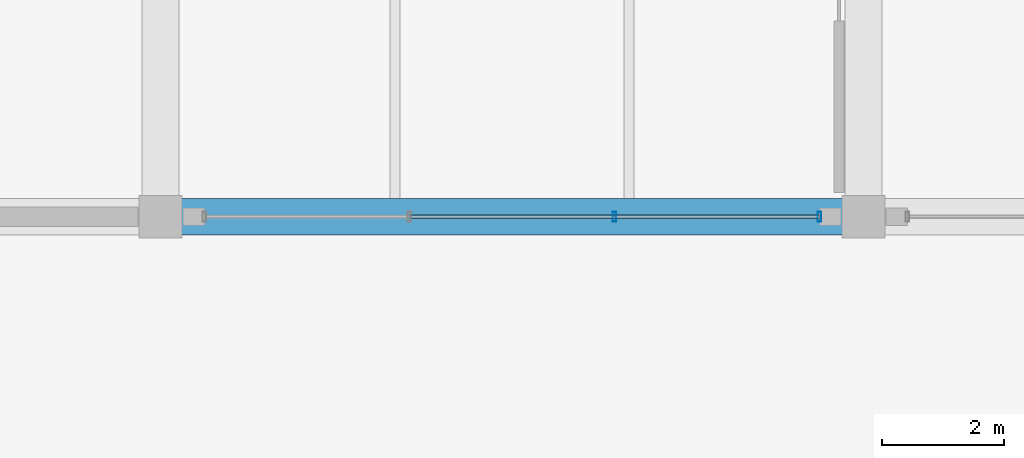
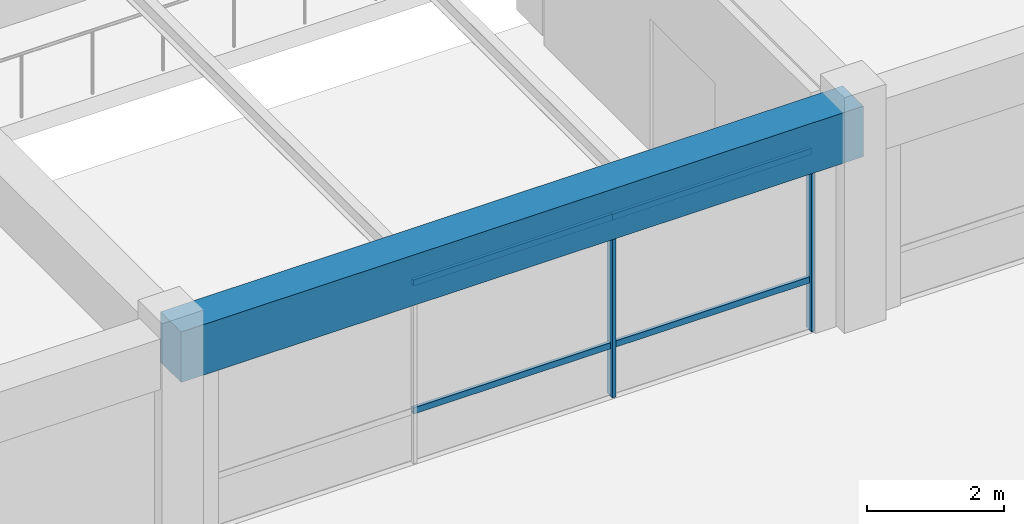
# One storey, part 9 of 109: 6 members, 1 beam, 1 element without a shape of its own.
"""IFC4 building model written with IfcOpenShell, lengths in metres."""

from ifc_helpers import new_model, si_unit, direction, frame, origin, origin_2d, place, context, subcontext, project, spatial, rectangle, hollow_rectangle, extrude, material, material_profile, profile_set, type_object, element, aggregate, save


model = new_model("IFC4")

# Units and contexts
model_context = context("Model", 3, precision=1e-05, world=origin(), true_north=direction((0.0, 1.0)))
body_context = subcontext(model_context, "Body", "Model", "MODEL_VIEW")
ifc_project = project(units=[si_unit("LENGTHUNIT", "METRE"), si_unit("AREAUNIT", "SQUARE_METRE"), si_unit("VOLUMEUNIT", "CUBIC_METRE"), si_unit("PLANEANGLEUNIT", "RADIAN"), si_unit("MASSUNIT", "GRAM", prefix="KILO")], contexts=[model_context])

# Site, building, storey
site_placement = place(None, origin())
site = spatial("IfcSite", under=ifc_project, at=site_placement, CompositionType="ELEMENT")
building_placement = place(site_placement, origin())
building = spatial("IfcBuilding", under=site, at=building_placement, Name="Ologun Quay Terminus", CompositionType="ELEMENT")
storey_placement = place(building_placement, origin())
storey = spatial("IfcBuildingStorey", under=building, at=storey_placement, Name="L00", CompositionType="ELEMENT", Elevation=0.0)

# Curtain wall, members
ifc_material_1 = material(Name="Aluminium 6063-T6", Category="aluminium")
curtain_wall_type = type_object("IfcCurtainWallType", Name="Forecourt Arcade Curtain Wall 10700x3750", PredefinedType="USERDEFINED", material=ifc_material_1)
curtain_wall_placement = place(storey_placement, origin())
curtain_wall = element("IfcCurtainWall", 1, at=curtain_wall_placement, inside=storey, type_object=curtain_wall_type, Name="CW-03 Curtain Wall CW-L00-002", ObjectType="UNITISED CURTAIN WALL", PredefinedType="USERDEFINED")
ifc_material_2 = material(Name="Aluminium 6063-T6", Category="aluminium")
ifc_material_profile_1 = material_profile(ifc_material_2, hollow_rectangle(XDim=0.06005859375, YDim=0.159912109375, WallThickness=0.00390625, at=origin_2d()), Name="ALU 160x60x4")
ifc_profile_set_1 = profile_set([ifc_material_profile_1], Name="Aluminium 6063-T6")
member_type_1 = type_object("IfcMemberType", Name="Curtain Wall Standard Mullion 160x65", PredefinedType="MULLION", material=ifc_profile_set_1)
member_1_placement = place(storey_placement, frame((41.9267578125, 27.199951171875, 0.0), z_axis=(0.0, 0.0, 1.0), x_axis=(1.0, 0.0, 0.0)))
member_1 = element("IfcMember", 2, at=member_1_placement, type_object=member_type_1, Name="CW-L00-002 Mullion 3", PredefinedType="MULLION", context=body_context, shape_type="SweptSolid", body=[
    extrude(hollow_rectangle(XDim=0.06005859375, YDim=0.159912109375, WallThickness=0.00390625, at=origin_2d()), origin(), (0.0, 0.0, 1.0), 3.8798828125),
])
member_2_placement = place(storey_placement, frame((45.280029296875, 27.199951171875, 0.0), z_axis=(0.0, 0.0, 1.0), x_axis=(1.0, 0.0, 0.0)))
member_2 = element("IfcMember", 3, at=member_2_placement, type_object=member_type_1, Name="CW-L00-002 Mullion 4", PredefinedType="MULLION", context=body_context, shape_type="SweptSolid", body=[
    extrude(hollow_rectangle(XDim=0.06005859375, YDim=0.159912109375, WallThickness=0.00390625, at=origin_2d()), origin(), (0.0, 0.0, 1.0), 3.8798828125),
])
ifc_material_3 = material(Name="Aluminium 6063-T6", Category="aluminium")
ifc_material_profile_2 = material_profile(ifc_material_3, hollow_rectangle(XDim=0.054931640625, YDim=0.110107421875, WallThickness=0.00390625, at=origin_2d()), Name="ALU 110x55x4")
ifc_profile_set_2 = profile_set([ifc_material_profile_2], Name="Aluminium 6063-T6")
member_type_2 = type_object("IfcMemberType", Name="Curtain Wall Standard Transom 110x55", PredefinedType="USERDEFINED", material=ifc_profile_set_2)
member_3_placement = place(storey_placement, frame((38.5732421875, 27.199951171875, 0.89990234375), z_axis=(1.0, 0.0, 0.0), x_axis=(0.0, 1.0, 0.0)))
member_3 = element("IfcMember", 4, at=member_3_placement, type_object=member_type_2, Name="CW-L00-002 Transom B2-1", ObjectType="TRANSOM", PredefinedType="USERDEFINED", context=body_context, shape_type="SweptSolid", body=[
    extrude(hollow_rectangle(XDim=0.054931640625, YDim=0.110107421875, WallThickness=0.00390625, at=origin_2d()), origin(), (0.0, 0.0, 1.0), 3.353515625),
])
member_4_placement = place(storey_placement, frame((38.5732421875, 27.199951171875, 3.179931640625), z_axis=(1.0, 0.0, 0.0), x_axis=(0.0, 1.0, 0.0)))
member_4 = element("IfcMember", 5, at=member_4_placement, type_object=member_type_2, Name="CW-L00-002 Transom B2-2", ObjectType="TRANSOM", PredefinedType="USERDEFINED", context=body_context, shape_type="SweptSolid", body=[
    extrude(hollow_rectangle(XDim=0.054931640625, YDim=0.110107421875, WallThickness=0.00390625, at=origin_2d()), origin(), (0.0, 0.0, 1.0), 3.353515625),
])
member_5_placement = place(storey_placement, frame((41.9267578125, 27.199951171875, 0.89990234375), z_axis=(1.0, 0.0, 0.0), x_axis=(0.0, 1.0, 0.0)))
member_5 = element("IfcMember", 6, at=member_5_placement, type_object=member_type_2, Name="CW-L00-002 Transom B3-1", ObjectType="TRANSOM", PredefinedType="USERDEFINED", context=body_context, shape_type="SweptSolid", body=[
    extrude(hollow_rectangle(XDim=0.054931640625, YDim=0.110107421875, WallThickness=0.00390625, at=origin_2d()), origin(), (0.0, 0.0, 1.0), 3.353271484375),
])
member_6_placement = place(storey_placement, frame((41.9267578125, 27.199951171875, 3.179931640625), z_axis=(1.0, 0.0, 0.0), x_axis=(0.0, 1.0, 0.0)))
member_6 = element("IfcMember", 7, at=member_6_placement, type_object=member_type_2, Name="CW-L00-002 Transom B3-2", ObjectType="TRANSOM", PredefinedType="USERDEFINED", context=body_context, shape_type="SweptSolid", body=[
    extrude(hollow_rectangle(XDim=0.054931640625, YDim=0.110107421875, WallThickness=0.00390625, at=origin_2d()), origin(), (0.0, 0.0, 1.0), 3.353271484375),
])
aggregate(curtain_wall, [member_1, member_2, member_3, member_4, member_5, member_6])

# Beam
ifc_material_4 = material(Name="Concrete C40/50", Category="concrete")
ifc_material_profile_3 = material_profile(ifc_material_4, rectangle(XDim=0.60009765625, YDim=0.89990234375, at=origin_2d()), Name="RC 600x900")
ifc_profile_set_3 = profile_set([ifc_material_profile_3], Name="Concrete C40/50")
beam_type = type_object("IfcBeamType", Name="Station Frame Girder 600x900", PredefinedType="BEAM", material=ifc_profile_set_3)
beam_placement = place(storey_placement, frame((34.5, 27.199951171875, 3.449951171875), z_axis=(1.0, 0.0, 0.0), x_axis=(0.0, 1.0, 0.0)))
element("IfcBeam", 8, at=beam_placement, inside=storey, type_object=beam_type, Name="B3 Beam 4/D L00", PredefinedType="BEAM", context=body_context, shape_type="SweptSolid", body=[
    extrude(rectangle(XDim=0.60009765625, YDim=0.89990234375, at=origin_2d()), origin(), (0.0, 0.0, 1.0), 11.5),
])

save(model, "model.ifc")
